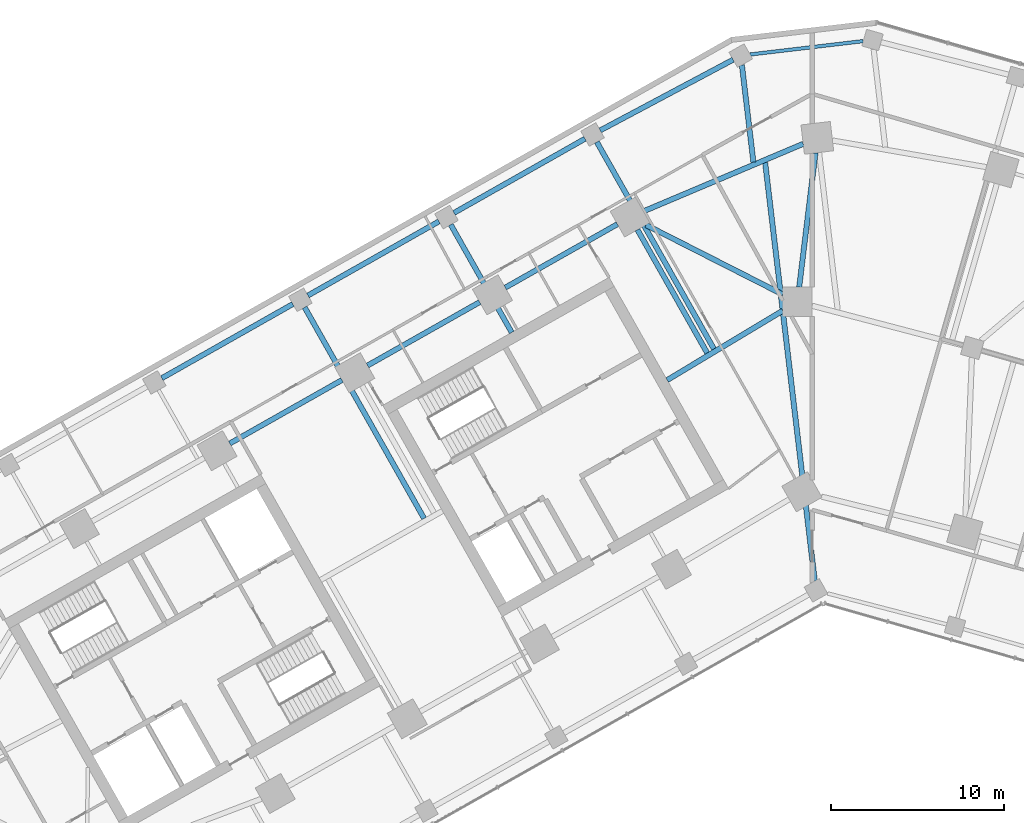
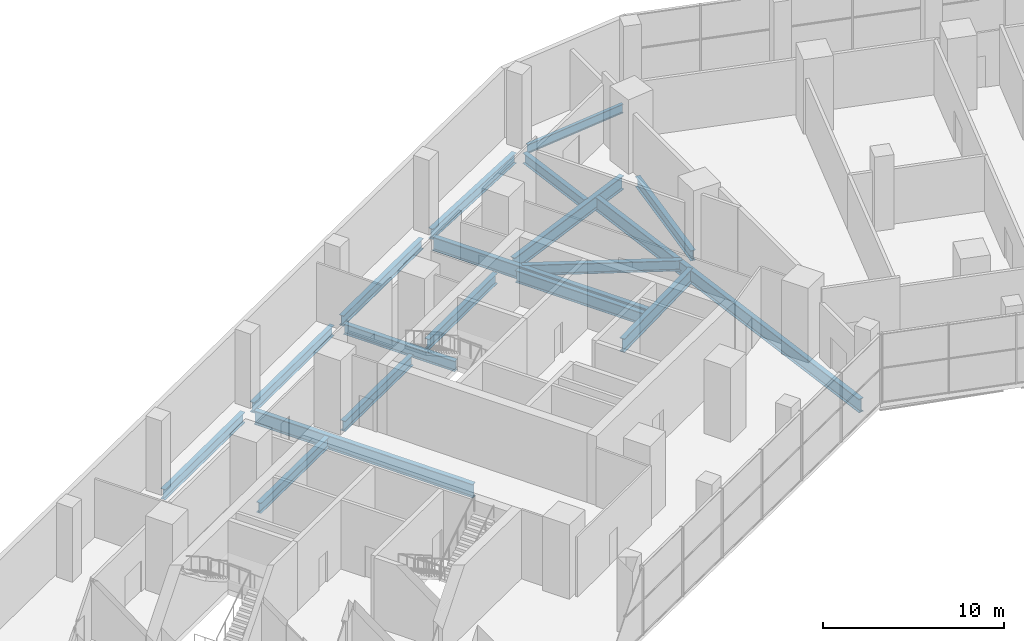
# One storey, part 4 of 18: 18 beams.
"""IFC4 building model written with IfcOpenShell, lengths in metres."""

from ifc_helpers import new_model, si_unit, direction, frame, origin, origin_2d, place, context, subcontext, project, spatial, i_section, extrude, material, material_profile, profile_set, type_object, element, save


model = new_model("IFC4")

# Units and contexts
model_context = context("Model", 3, precision=1e-05, world=origin(), true_north=direction((0.0, 1.0)))
body_context = subcontext(model_context, "Body", "Model", "MODEL_VIEW")
ifc_project = project(units=[si_unit("LENGTHUNIT", "METRE"), si_unit("AREAUNIT", "SQUARE_METRE"), si_unit("VOLUMEUNIT", "CUBIC_METRE"), si_unit("PLANEANGLEUNIT", "RADIAN"), si_unit("MASSUNIT", "GRAM", prefix="KILO")], contexts=[model_context])

# Site, building, storey
site_placement = place(None, origin())
site = spatial("IfcSite", under=ifc_project, at=site_placement, CompositionType="ELEMENT")
building_placement = place(site_placement, origin())
building = spatial("IfcBuilding", under=site, at=building_placement, Name="Binnacle Exchange Tower", CompositionType="ELEMENT")
storey_placement = place(building_placement, frame((0.0, 0.0, 11.5)))
storey = spatial("IfcBuildingStorey", under=building, at=storey_placement, Name="L02", CompositionType="ELEMENT", Elevation=11.5)

# Beams
ifc_material = material(Name="Steel S355 (SHN355)", Category="steel")
ifc_material_profile_1 = material_profile(ifc_material, i_section(OverallWidth=0.200927734375, OverallDepth=0.60595703125, WebThickness=0.011962890625, FlangeThickness=0.02001953125, FilletRadius=0.02197265625, at=origin_2d()), Name="H 606x201x12x20")
ifc_profile_set_1 = profile_set([ifc_material_profile_1], Name="Steel S355 (SHN355)")
beam_type_1 = type_object("IfcBeamType", Name="Edge girder H 606x201x12x20 Steel S355 (SHN355)", PredefinedType="SPANDREL", material=ifc_profile_set_1)
beam_1_placement = place(storey_placement, frame((-3.577392578125, 74.2734375, -0.653076171875), z_axis=(0.993065632937, 0.117561255009, 0.0), x_axis=(-0.117561255009, 0.993065632937, 0.0)))
element("IfcBeam", 1, at=beam_1_placement, inside=storey, type_object=beam_type_1, Name="S:BM:edge:L02:042", PredefinedType="SPANDREL", context=body_context, shape_type="SweptSolid", body=[
    extrude(i_section(OverallWidth=0.200927734375, OverallDepth=0.60595703125, WebThickness=0.011962890625, FlangeThickness=0.02001953125, FilletRadius=0.02197265625, at=origin_2d()), origin(), (0.0, 0.0, 1.0), 6.57080078125),
])
ifc_material_profile_2 = material_profile(ifc_material, i_section(OverallWidth=0.300048828125, OverallDepth=0.699951171875, WebThickness=0.012939453125, FlangeThickness=0.02392578125, FilletRadius=0.028076171875, at=origin_2d()), Name="H 700x300x13x24")
ifc_profile_set_2 = profile_set([ifc_material_profile_2], Name="Steel S355 (SHN355)")
beam_type_2 = type_object("IfcBeamType", Name="Edge girder H 700x300x13x24 Steel S355 (SHN355)", PredefinedType="SPANDREL", material=ifc_profile_set_2)
for number, where, z_axis, x_axis, name in (
    (2, (-37.517333984375, 55.59912109375, -0.699951171875), (0.870339162406, 0.492452781881, 0.0), (-0.492452781881, 0.870339162406, 0.0), "S:BM:edge:L02:026"),
    (3, (-29.089111328125, 60.367919921875, -0.699951171875), (0.870358029477, 0.492419435567, 0.0), (-0.492419435567, 0.870358029477, 0.0), "S:BM:edge:L02:030"),
):
    element("IfcBeam", number, at=place(storey_placement, frame(where, z_axis=z_axis, x_axis=x_axis)), inside=storey, type_object=beam_type_2, Name=name, PredefinedType="SPANDREL", context=body_context, shape_type="SweptSolid", body=[
        extrude(i_section(OverallWidth=0.300048828125, OverallDepth=0.699951171875, WebThickness=0.012939453125, FlangeThickness=0.02392578125, FilletRadius=0.028076171875, at=origin_2d()), origin(), (0.0, 0.0, 1.0), 8.683837890625),
    ])
beam_2_placement = place(storey_placement, frame((-27.12744140625, 55.49169921875, -0.699951171875), z_axis=(-0.870350394687, -0.492432929919, 0.0), x_axis=(0.492432929919, -0.870350394687, 0.0)))
element("IfcBeam", 4, at=beam_2_placement, inside=storey, type_object=beam_type_2, Name="S:BM:edge:L02:031", PredefinedType="SPANDREL", context=body_context, shape_type="SweptSolid", body=[
    extrude(i_section(OverallWidth=0.300048828125, OverallDepth=0.699951171875, WebThickness=0.012939453125, FlangeThickness=0.02392578125, FilletRadius=0.028076171875, at=origin_2d()), origin(), (0.0, 0.0, 1.0), 7.429931640625),
])
beam_3_placement = place(storey_placement, frame((-20.66064453125, 65.136474609375, -0.699951171875), z_axis=(0.870358029477, 0.492419435567, 0.0), x_axis=(-0.492419435567, 0.870358029477, 0.0)))
element("IfcBeam", 5, at=beam_3_placement, inside=storey, type_object=beam_type_2, Name="S:BM:edge:L02:034", PredefinedType="SPANDREL", context=body_context, shape_type="SweptSolid", body=[
    extrude(i_section(OverallWidth=0.300048828125, OverallDepth=0.699951171875, WebThickness=0.012939453125, FlangeThickness=0.02392578125, FilletRadius=0.028076171875, at=origin_2d()), origin(), (0.0, 0.0, 1.0), 8.683837890625),
])
beam_4_placement = place(storey_placement, frame((-19.18115234375, 59.9873046875, -0.699951171875), z_axis=(-0.870364477798, -0.492408037898, 0.0), x_axis=(0.492408037898, -0.870364477798, 0.0)))
element("IfcBeam", 6, at=beam_4_placement, inside=storey, type_object=beam_type_2, Name="S:BM:edge:L02:035", PredefinedType="SPANDREL", context=body_context, shape_type="SweptSolid", body=[
    extrude(i_section(OverallWidth=0.300048828125, OverallDepth=0.699951171875, WebThickness=0.012939453125, FlangeThickness=0.02392578125, FilletRadius=0.028076171875, at=origin_2d()), origin(), (0.0, 0.0, 1.0), 7.4296875),
])
beam_5_placement = place(storey_placement, frame((-12.225830078125, 69.893798828125, -0.699951171875), z_axis=(0.882784358994, 0.469778432365, 0.0), x_axis=(-0.469778432365, 0.882784358994, 0.0)))
element("IfcBeam", 7, at=beam_5_placement, inside=storey, type_object=beam_type_2, Name="S:BM:edge:L02:038", PredefinedType="SPANDREL", context=body_context, shape_type="SweptSolid", body=[
    extrude(i_section(OverallWidth=0.300048828125, OverallDepth=0.699951171875, WebThickness=0.012939453125, FlangeThickness=0.02392578125, FilletRadius=0.028076171875, at=origin_2d()), origin(), (0.0, 0.0, 1.0), 8.686767578125),
])
beam_6_placement = place(storey_placement, frame((-11.23486328125, 64.483154296875, -0.699951171875), z_axis=(-0.870364477798, -0.492408037898, 0.0), x_axis=(0.492408037898, -0.870364477798, 0.0)))
element("IfcBeam", 8, at=beam_6_placement, inside=storey, type_object=beam_type_2, Name="S:BM:edge:L02:039", PredefinedType="SPANDREL", context=body_context, shape_type="SweptSolid", body=[
    extrude(i_section(OverallWidth=0.300048828125, OverallDepth=0.699951171875, WebThickness=0.012939453125, FlangeThickness=0.02392578125, FilletRadius=0.028076171875, at=origin_2d()), origin(), (0.0, 0.0, 1.0), 7.4296875),
])
ifc_material_profile_3 = material_profile(ifc_material, i_section(OverallWidth=0.302978515625, OverallDepth=0.91796875, WebThickness=0.01904296875, FlangeThickness=0.037109375, FilletRadius=0.028076171875, at=origin_2d()), Name="H 918x303x19x37")
ifc_profile_set_3 = profile_set([ifc_material_profile_3], Name="Steel S355 (SHN355)")
beam_type_3 = type_object("IfcBeamType", Name="Edge girder H 918x303x19x37 Steel S355 (SHN355)", PredefinedType="SPANDREL", material=ifc_profile_set_3)
beam_7_placement = place(storey_placement, frame((-0.51513671875, 69.11962890625, -0.80908203125), z_axis=(-0.921111373297, -0.389299162578, 0.0), x_axis=(0.389299162578, -0.921111373297, 0.0)))
element("IfcBeam", 9, at=beam_7_placement, inside=storey, type_object=beam_type_3, Name="S:BM:edge:L02:043", PredefinedType="SPANDREL", context=body_context, shape_type="SweptSolid", body=[
    extrude(i_section(OverallWidth=0.302978515625, OverallDepth=0.91796875, WebThickness=0.01904296875, FlangeThickness=0.037109375, FilletRadius=0.028076171875, at=origin_2d()), origin(), (0.0, 0.0, 1.0), 9.978759765625),
])
ifc_material_profile_4 = material_profile(ifc_material, i_section(OverallWidth=0.300048828125, OverallDepth=0.699951171875, WebThickness=0.012939453125, FlangeThickness=0.02392578125, FilletRadius=0.028076171875, at=origin_2d()), Name="H 700x300x13x24")
ifc_profile_set_4 = profile_set([ifc_material_profile_4], Name="Steel S355 (SHN355)")
beam_type_4 = type_object("IfcBeamType", Name="Floor beam H 700x300x13x24 Steel S355 (SHN355)", PredefinedType="BEAM", material=ifc_profile_set_4)
beam_8_placement = place(storey_placement, frame((-20.849609375, 64.455078125, -0.699951171875), z_axis=(0.492432183245, -0.870350817145, 0.0), x_axis=(0.870350817145, 0.492432183245, 0.0)))
element("IfcBeam", 10, at=beam_8_placement, inside=storey, type_object=beam_type_4, Name="S:BM:cross:L02:094", PredefinedType="BEAM", context=body_context, shape_type="SweptSolid", body=[
    extrude(i_section(OverallWidth=0.300048828125, OverallDepth=0.699951171875, WebThickness=0.012939453125, FlangeThickness=0.02392578125, FilletRadius=0.028076171875, at=origin_2d()), origin(), (0.0, 0.0, 1.0), 7.144287109375),
])
beam_9_placement = place(storey_placement, frame((-4.05224609375, 73.67138671875, -0.699951171875), z_axis=(0.117558403609, -0.993065970488, 0.0), x_axis=(0.993065970488, 0.117558403609, 0.0)))
element("IfcBeam", 11, at=beam_9_placement, inside=storey, type_object=beam_type_4, Name="S:BM:cross:L02:101", PredefinedType="BEAM", context=body_context, shape_type="SweptSolid", body=[
    extrude(i_section(OverallWidth=0.300048828125, OverallDepth=0.699951171875, WebThickness=0.012939453125, FlangeThickness=0.02392578125, FilletRadius=0.028076171875, at=origin_2d()), origin(), (0.0, 0.0, 1.0), 5.648681640625),
])
ifc_material_profile_5 = material_profile(ifc_material, i_section(OverallWidth=0.302001953125, OverallDepth=0.80810546875, WebThickness=0.01611328125, FlangeThickness=0.030029296875, FilletRadius=0.028076171875, at=origin_2d()), Name="H 808x302x16x30")
ifc_profile_set_5 = profile_set([ifc_material_profile_5], Name="Steel S355 (SHN355)")
beam_type_5 = type_object("IfcBeamType", Name="Floor beam H 808x302x16x30 Steel S355 (SHN355)", PredefinedType="BEAM", material=ifc_profile_set_5)
beam_10_placement = place(storey_placement, frame((-10.076416015625, 64.161865234375, -0.75390625), z_axis=(0.492410737926, -0.870362950254, 0.0), x_axis=(0.870362950254, 0.492410737926, 0.0)))
element("IfcBeam", 12, at=beam_10_placement, inside=storey, type_object=beam_type_5, Name="S:BM:cross:L02:098", PredefinedType="BEAM", context=body_context, shape_type="SweptSolid", body=[
    extrude(i_section(OverallWidth=0.302001953125, OverallDepth=0.80810546875, WebThickness=0.01611328125, FlangeThickness=0.030029296875, FilletRadius=0.028076171875, at=origin_2d()), origin(), (0.0, 0.0, 1.0), 8.16943359375),
])
ifc_material_profile_6 = material_profile(ifc_material, i_section(OverallWidth=0.302978515625, OverallDepth=0.91796875, WebThickness=0.01904296875, FlangeThickness=0.037109375, FilletRadius=0.028076171875, at=origin_2d()), Name="H 918x303x19x37")
ifc_profile_set_6 = profile_set([ifc_material_profile_6], Name="Steel S355 (SHN355)")
beam_type_6 = type_object("IfcBeamType", Name="Floor beam H 918x303x19x37 Steel S355 (SHN355)", PredefinedType="BEAM", material=ifc_profile_set_6)
beam_11_placement = place(storey_placement, frame((-29.278076171875, 59.686279296875, -0.80908203125), z_axis=(0.492433176399, -0.870350255232, 0.0), x_axis=(0.870350255232, 0.492433176399, 0.0)))
element("IfcBeam", 13, at=beam_11_placement, inside=storey, type_object=beam_type_6, Name="S:BM:cross:L02:090", PredefinedType="BEAM", context=body_context, shape_type="SweptSolid", body=[
    extrude(i_section(OverallWidth=0.302978515625, OverallDepth=0.91796875, WebThickness=0.01904296875, FlangeThickness=0.037109375, FilletRadius=0.028076171875, at=origin_2d()), origin(), (0.0, 0.0, 1.0), 13.993896484375),
])
beam_12_placement = place(storey_placement, frame((-12.421142578125, 69.223388671875, -0.80908203125), z_axis=(0.492429600636, -0.870352278344, 0.0), x_axis=(0.870352278344, 0.492429600636, 0.0)))
element("IfcBeam", 14, at=beam_12_placement, inside=storey, type_object=beam_type_6, Name="S:BM:cross:L02:097", PredefinedType="BEAM", context=body_context, shape_type="SweptSolid", body=[
    extrude(i_section(OverallWidth=0.302978515625, OverallDepth=0.91796875, WebThickness=0.01904296875, FlangeThickness=0.037109375, FilletRadius=0.028076171875, at=origin_2d()), origin(), (0.0, 0.0, 1.0), 13.718017578125),
])
beam_13_placement = place(storey_placement, frame((0.15478515625, 43.893798828125, -0.80908203125), z_axis=(-0.117868429999, 0.993029220723, 0.0), x_axis=(-0.993029220723, -0.117868429999, 0.0)))
element("IfcBeam", 15, at=beam_13_placement, inside=storey, type_object=beam_type_6, Name="S:BM:cross:L02:102", PredefinedType="BEAM", context=body_context, shape_type="SweptSolid", body=[
    extrude(i_section(OverallWidth=0.302978515625, OverallDepth=0.91796875, WebThickness=0.01904296875, FlangeThickness=0.037109375, FilletRadius=0.028076171875, at=origin_2d()), origin(), (0.0, 0.0, 1.0), 24.310791015625),
])
ifc_material_profile_7 = material_profile(ifc_material, i_section(OverallWidth=0.300048828125, OverallDepth=0.699951171875, WebThickness=0.012939453125, FlangeThickness=0.02392578125, FilletRadius=0.028076171875, at=origin_2d()), Name="H 700x300x13x24")
ifc_profile_set_7 = profile_set([ifc_material_profile_7], Name="Steel S355 (SHN355)")
beam_type_7 = type_object("IfcBeamType", Name="Spine girder H 700x300x13x24 Steel S355 (SHN355)", PredefinedType="BEAM", material=ifc_profile_set_7)
beam_14_placement = place(storey_placement, frame((-0.74658203125, 60.85009765625, -0.699951171875), z_axis=(0.120621974738, 0.992698513755, 0.0), x_axis=(-0.992698513755, 0.120621974738, 0.0)))
element("IfcBeam", 16, at=beam_14_placement, inside=storey, type_object=beam_type_7, Name="S:BM:spine:L02:005", PredefinedType="BEAM", context=body_context, shape_type="SweptSolid", body=[
    extrude(i_section(OverallWidth=0.300048828125, OverallDepth=0.699951171875, WebThickness=0.012939453125, FlangeThickness=0.02392578125, FilletRadius=0.028076171875, at=origin_2d()), origin(), (0.0, 0.0, 1.0), 7.802490234375),
])
ifc_material_profile_8 = material_profile(ifc_material, i_section(OverallWidth=0.302001953125, OverallDepth=0.7080078125, WebThickness=0.014892578125, FlangeThickness=0.028076171875, FilletRadius=0.028076171875, at=origin_2d()), Name="H 708x302x15x28")
ifc_profile_set_8 = profile_set([ifc_material_profile_8], Name="Steel S355 (SHN355)")
beam_type_8 = type_object("IfcBeamType", Name="Spine girder H 708x302x15x28 Steel S355 (SHN355)", PredefinedType="BEAM", material=ifc_profile_set_8)
beam_15_placement = place(storey_placement, frame((-1.699951171875, 60.431884765625, -0.7041015625), z_axis=(-0.891471296315, 0.45307717648, 0.0), x_axis=(-0.45307717648, -0.891471296315, 0.0)))
element("IfcBeam", 17, at=beam_15_placement, inside=storey, type_object=beam_type_8, Name="S:BM:spine:L02:004", PredefinedType="BEAM", context=body_context, shape_type="SweptSolid", body=[
    extrude(i_section(OverallWidth=0.302001953125, OverallDepth=0.7080078125, WebThickness=0.014892578125, FlangeThickness=0.028076171875, FilletRadius=0.028076171875, at=origin_2d()), origin(), (0.0, 0.0, 1.0), 8.845703125),
])
ifc_material_profile_9 = material_profile(ifc_material, i_section(OverallWidth=0.302978515625, OverallDepth=0.91796875, WebThickness=0.01904296875, FlangeThickness=0.037109375, FilletRadius=0.028076171875, at=origin_2d()), Name="H 918x303x19x37")
ifc_profile_set_9 = profile_set([ifc_material_profile_9], Name="Steel S355 (SHN355)")
beam_type_9 = type_object("IfcBeamType", Name="Spine girder H 918x303x19x37 Steel S355 (SHN355)", PredefinedType="BEAM", material=ifc_profile_set_9)
beam_16_placement = place(storey_placement, frame((-8.36328125, 55.489990234375, -0.80908203125), z_axis=(0.857393122678, 0.514662057261, 0.0), x_axis=(-0.514662057261, 0.857393122678, 0.0)))
element("IfcBeam", 18, at=beam_16_placement, inside=storey, type_object=beam_type_9, Name="S:BM:spine:L02:003", PredefinedType="BEAM", context=body_context, shape_type="SweptSolid", body=[
    extrude(i_section(OverallWidth=0.302978515625, OverallDepth=0.91796875, WebThickness=0.01904296875, FlangeThickness=0.037109375, FilletRadius=0.028076171875, at=origin_2d()), origin(), (0.0, 0.0, 1.0), 7.771728515625),
])

save(model, "model.ifc")
